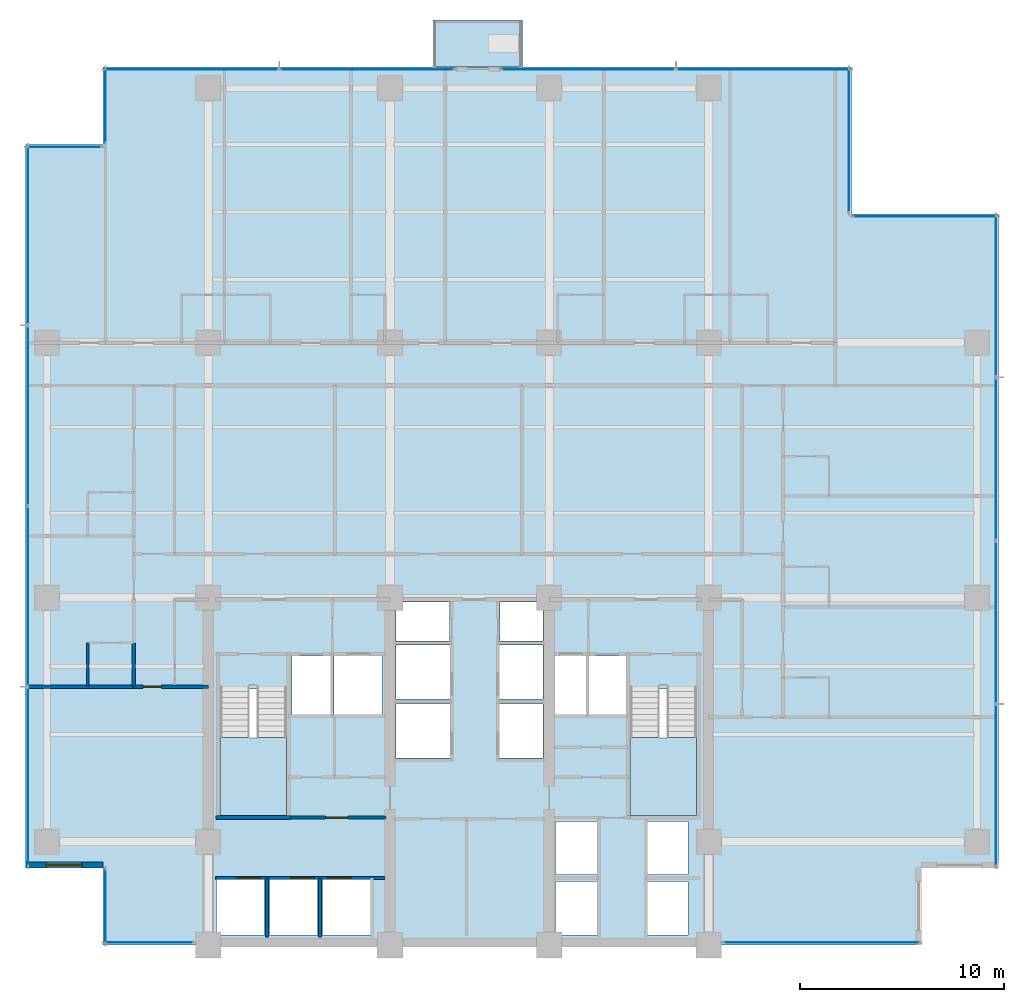
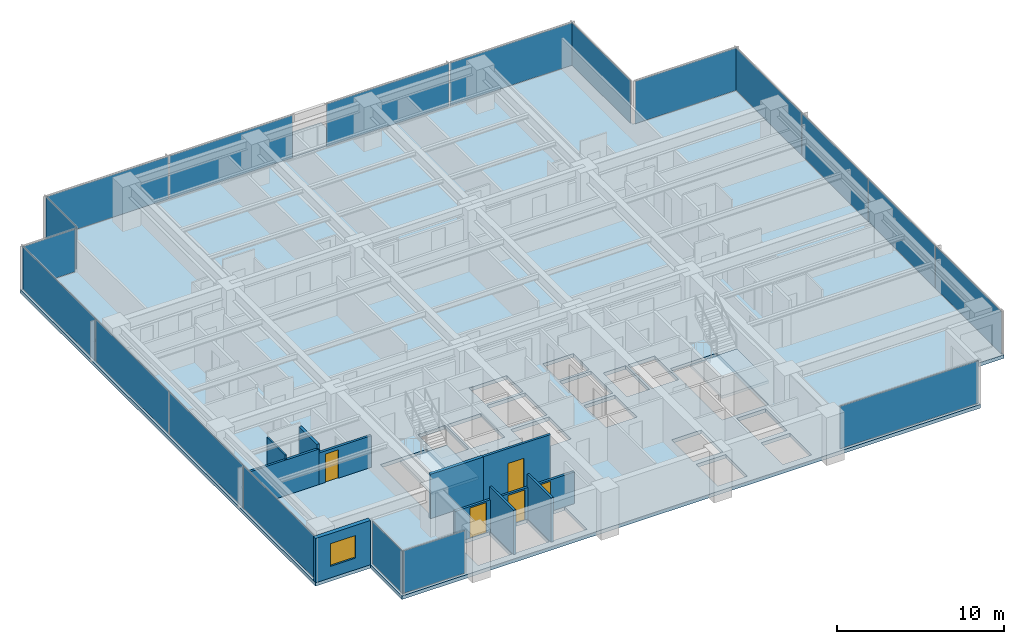
# One storey, part 7 of 17: 19 plates, 10 walls, 5 doors, 4 slabs, 1 window, 6 openings, 13 elements without a shape of their own.
"""IFC4 building model written with IfcOpenShell, lengths in metres."""

from ifc_helpers import new_model, si_unit, direction, frame, frame_2d, origin, origin_2d, place, context, subcontext, project, spatial, polyline, rectangle, outline, extrude, material, layer, layer_set, type_object, element, fill, aggregate, save


model = new_model("IFC4")

# Units and contexts
model_context = context("Model", 3, precision=1e-05, world=origin(), true_north=direction((0.0, 1.0)))
body_context = subcontext(model_context, "Body", "Model", "MODEL_VIEW")
ifc_project = project(units=[si_unit("LENGTHUNIT", "METRE"), si_unit("AREAUNIT", "SQUARE_METRE"), si_unit("VOLUMEUNIT", "CUBIC_METRE"), si_unit("PLANEANGLEUNIT", "RADIAN"), si_unit("MASSUNIT", "GRAM", prefix="KILO")], contexts=[model_context])

# Site, building, storey
site_placement = place(None, origin())
site = spatial("IfcSite", under=ifc_project, at=site_placement, CompositionType="ELEMENT")
building_placement = place(site_placement, origin())
building = spatial("IfcBuilding", under=site, at=building_placement, Name="Qalmaran Belvedere Hotel", CompositionType="ELEMENT")
storey_placement = place(building_placement, frame((0.0, 0.0, 109.199951171875)))
storey = spatial("IfcBuildingStorey", under=building, at=storey_placement, Name="L27", CompositionType="ELEMENT", Elevation=109.199951171875)

# Curtain wall, plate
ifc_material_1 = material(Name="Anodised Bronze Aluminium", Category="aluminium")
ifc_layer_1 = layer(ifc_material_1, 0.199951171875, Name="Anodised Bronze Aluminium")
ifc_layer_set_1 = layer_set([ifc_layer_1], Name="Anodised Bronze Aluminium")
curtain_wall_type = type_object("IfcCurtainWallType", Name="CW3-TOWER-LOWMID", PredefinedType="NOTDEFINED", material=ifc_layer_set_1)
curtain_wall_1_placement = place(storey_placement, origin())
curtain_wall_1 = element("IfcCurtainWall", 1, at=curtain_wall_1_placement, inside=storey, type_object=curtain_wall_type, Name="L27 Curtain Wall CW3", PredefinedType="NOTDEFINED")
ifc_material_2 = material(Name="Solar-Control Double Glazing", Category="glass")
ifc_layer_2 = layer(ifc_material_2, 0.028076171875, Name="Solar-Control Double Glazing")
ifc_layer_set_2 = layer_set([ifc_layer_2], Name="Solar-Control Double Glazing")
plate_type = type_object("IfcPlateType", Name="CWP-VISION-28", PredefinedType="CURTAIN_PANEL", material=ifc_layer_set_2)
plate_1_placement = place(storey_placement, frame((17.392578125, 3.6201171875, 0.06494140625), z_axis=(0.0, 0.0, 1.0), x_axis=(1.0, 0.0, 0.0)))
plate_1 = element("IfcPlate", 2, at=plate_1_placement, type_object=plate_type, Name="CW3 panel 1.1", PredefinedType="CURTAIN_PANEL", context=body_context, shape_type="SweptSolid", body=[
    extrude(rectangle(XDim=4.344970703125, YDim=0.028076171875, at=origin_2d()), origin(), (0.0, 0.0, 1.0), 3.110107421875),
])
aggregate(curtain_wall_1, [plate_1])

curtain_wall_2_placement = place(storey_placement, origin())
curtain_wall_2 = element("IfcCurtainWall", 3, at=curtain_wall_2_placement, inside=storey, type_object=curtain_wall_type, Name="L27 Curtain Wall CW3", PredefinedType="NOTDEFINED")
plate_2_placement = place(storey_placement, frame((50.33251953125, 3.6201171875, 0.06494140625), z_axis=(0.0, 0.0, 1.0), x_axis=(1.0, 0.0, 0.0)))
plate_2 = element("IfcPlate", 4, at=plate_2_placement, type_object=plate_type, Name="CW3 panel 1.1", PredefinedType="CURTAIN_PANEL", context=body_context, shape_type="SweptSolid", body=[
    extrude(rectangle(XDim=9.594970703125, YDim=0.028076171875, at=origin_2d()), origin(), (0.0, 0.0, 1.0), 3.110107421875),
])
aggregate(curtain_wall_2, [plate_2])

# Curtain wall, plates
curtain_wall_3_placement = place(storey_placement, origin())
curtain_wall_3 = element("IfcCurtainWall", 5, at=curtain_wall_3_placement, inside=storey, type_object=curtain_wall_type, Name="L27 Curtain Wall CW3", PredefinedType="NOTDEFINED")
plate_3_placement = place(storey_placement, frame((58.8798828125, 11.3173828125, 0.06494140625), z_axis=(0.0, 0.0, 1.0), x_axis=(0.0, 1.0, 0.0)))
plate_3 = element("IfcPlate", 6, at=plate_3_placement, type_object=plate_type, Name="CW3 panel 1.1", PredefinedType="CURTAIN_PANEL", context=body_context, shape_type="SweptSolid", body=[
    extrude(rectangle(XDim=7.89501953125, YDim=0.028076171875, at=origin_2d()), origin(), (0.0, 0.0, 1.0), 3.110107421875),
])
plate_4_placement = place(storey_placement, frame((58.8798828125, 19.300048828125, 0.06494140625), z_axis=(0.0, 0.0, 1.0), x_axis=(0.0, 1.0, 0.0)))
plate_4 = element("IfcPlate", 7, at=plate_4_placement, type_object=plate_type, Name="CW3 panel 2.1", PredefinedType="CURTAIN_PANEL", context=body_context, shape_type="SweptSolid", body=[
    extrude(rectangle(XDim=7.929931640625, YDim=0.028076171875, at=origin_2d()), origin(), (0.0, 0.0, 1.0), 3.110107421875),
])
plate_5_placement = place(storey_placement, frame((58.8798828125, 27.300048828125, 0.06494140625), z_axis=(0.0, 0.0, 1.0), x_axis=(0.0, 1.0, 0.0)))
plate_5 = element("IfcPlate", 8, at=plate_5_placement, type_object=plate_type, Name="CW3 panel 3.1", PredefinedType="CURTAIN_PANEL", context=body_context, shape_type="SweptSolid", body=[
    extrude(rectangle(XDim=7.929931640625, YDim=0.028076171875, at=origin_2d()), origin(), (0.0, 0.0, 1.0), 3.110107421875),
])
plate_6_placement = place(storey_placement, frame((58.8798828125, 35.282470703125, 0.06494140625), z_axis=(0.0, 0.0, 1.0), x_axis=(0.0, 1.0, 0.0)))
plate_6 = element("IfcPlate", 9, at=plate_6_placement, type_object=plate_type, Name="CW3 panel 4.1", PredefinedType="CURTAIN_PANEL", context=body_context, shape_type="SweptSolid", body=[
    extrude(rectangle(XDim=7.89501953125, YDim=0.028076171875, at=origin_2d()), origin(), (0.0, 0.0, 1.0), 3.110107421875),
])
aggregate(curtain_wall_3, [plate_3, plate_4, plate_5, plate_6])

# Curtain wall, plate
curtain_wall_4_placement = place(storey_placement, origin())
curtain_wall_4 = element("IfcCurtainWall", 10, at=curtain_wall_4_placement, inside=storey, type_object=curtain_wall_type, Name="L27 Curtain Wall CW3", PredefinedType="NOTDEFINED")
plate_7_placement = place(storey_placement, frame((55.39990234375, 39.179931640625, 0.06494140625), z_axis=(0.0, 0.0, 1.0), x_axis=(-1.0, 0.0, 0.0)))
plate_7 = element("IfcPlate", 11, at=plate_7_placement, type_object=plate_type, Name="CW3 panel 1.1", PredefinedType="CURTAIN_PANEL", context=body_context, shape_type="SweptSolid", body=[
    extrude(rectangle(XDim=7.06005859375, YDim=0.028076171875, at=origin_2d()), origin(), (0.0, 0.0, 1.0), 3.110107421875),
])
aggregate(curtain_wall_4, [plate_7])

curtain_wall_5_placement = place(storey_placement, origin())
curtain_wall_5 = element("IfcCurtainWall", 12, at=curtain_wall_5_placement, inside=storey, type_object=curtain_wall_type, Name="L27 Curtain Wall CW3", PredefinedType="NOTDEFINED")
plate_8_placement = place(storey_placement, frame((51.679931640625, 42.89990234375, 0.06494140625), z_axis=(0.0, 0.0, 1.0), x_axis=(0.0, 1.0, 0.0)))
plate_8 = element("IfcPlate", 13, at=plate_8_placement, type_object=plate_type, Name="CW3 panel 1.1", PredefinedType="CURTAIN_PANEL", context=body_context, shape_type="SweptSolid", body=[
    extrude(rectangle(XDim=7.06005859375, YDim=0.028076171875, at=origin_2d()), origin(), (0.0, 0.0, 1.0), 3.110107421875),
])
aggregate(curtain_wall_5, [plate_8])

# Curtain wall, plates
curtain_wall_6_placement = place(storey_placement, origin())
curtain_wall_6 = element("IfcCurtainWall", 14, at=curtain_wall_6_placement, inside=storey, type_object=curtain_wall_type, Name="L27 Curtain Wall CW3", PredefinedType="NOTDEFINED")
plate_9_placement = place(storey_placement, frame((28.070068359375, 46.3798828125, 0.06494140625), z_axis=(0.0, 0.0, 1.0), x_axis=(-1.0, 0.0, 0.0)))
plate_9 = element("IfcPlate", 15, at=plate_9_placement, type_object=plate_type, Name="CW3 panel 1.1", PredefinedType="CURTAIN_PANEL", context=body_context, shape_type="SweptSolid", body=[
    extrude(rectangle(XDim=8.52001953125, YDim=0.028076171875, at=origin_2d()), origin(), (0.0, 0.0, 1.0), 3.110107421875),
])
plate_10_placement = place(storey_placement, frame((19.47998046875, 46.3798828125, 0.06494140625), z_axis=(0.0, 0.0, 1.0), x_axis=(-1.0, 0.0, 0.0)))
plate_10 = element("IfcPlate", 16, at=plate_10_placement, type_object=plate_type, Name="CW3 panel 2.1", PredefinedType="CURTAIN_PANEL", context=body_context, shape_type="SweptSolid", body=[
    extrude(rectangle(XDim=8.52001953125, YDim=0.028076171875, at=origin_2d()), origin(), (0.0, 0.0, 1.0), 3.110107421875),
])
aggregate(curtain_wall_6, [plate_9, plate_10])

curtain_wall_7_placement = place(storey_placement, origin())
curtain_wall_7 = element("IfcCurtainWall", 17, at=curtain_wall_7_placement, inside=storey, type_object=curtain_wall_type, Name="L27 Curtain Wall CW3", PredefinedType="NOTDEFINED")
plate_11_placement = place(storey_placement, frame((47.482421875, 46.3798828125, 0.06494140625), z_axis=(0.0, 0.0, 1.0), x_axis=(-1.0, 0.0, 0.0)))
plate_11 = element("IfcPlate", 18, at=plate_11_placement, type_object=plate_type, Name="CW3 panel 1.1", PredefinedType="CURTAIN_PANEL", context=body_context, shape_type="SweptSolid", body=[
    extrude(rectangle(XDim=8.4951171875, YDim=0.028076171875, at=origin_2d()), origin(), (0.0, 0.0, 1.0), 3.110107421875),
])
plate_12_placement = place(storey_placement, frame((38.91748046875, 46.3798828125, 0.06494140625), z_axis=(0.0, 0.0, 1.0), x_axis=(-1.0, 0.0, 0.0)))
plate_12 = element("IfcPlate", 19, at=plate_12_placement, type_object=plate_type, Name="CW3 panel 2.1", PredefinedType="CURTAIN_PANEL", context=body_context, shape_type="SweptSolid", body=[
    extrude(rectangle(XDim=8.4951171875, YDim=0.028076171875, at=origin_2d()), origin(), (0.0, 0.0, 1.0), 3.110107421875),
])
aggregate(curtain_wall_7, [plate_11, plate_12])

# Curtain wall, plate
curtain_wall_8_placement = place(storey_placement, origin())
curtain_wall_8 = element("IfcCurtainWall", 20, at=curtain_wall_8_placement, inside=storey, type_object=curtain_wall_type, Name="L27 Curtain Wall CW3", PredefinedType="NOTDEFINED")
plate_13_placement = place(storey_placement, frame((15.27001953125, 44.60009765625, 0.06494140625), z_axis=(0.0, 0.0, 1.0), x_axis=(0.0, -1.0, 0.0)))
plate_13 = element("IfcPlate", 21, at=plate_13_placement, type_object=plate_type, Name="CW3 panel 1.1", PredefinedType="CURTAIN_PANEL", context=body_context, shape_type="SweptSolid", body=[
    extrude(rectangle(XDim=3.659912109375, YDim=0.028076171875, at=origin_2d()), origin(), (0.0, 0.0, 1.0), 3.110107421875),
])
aggregate(curtain_wall_8, [plate_13])

curtain_wall_9_placement = place(storey_placement, origin())
curtain_wall_9 = element("IfcCurtainWall", 22, at=curtain_wall_9_placement, inside=storey, type_object=curtain_wall_type, Name="L27 Curtain Wall CW3", PredefinedType="NOTDEFINED")
plate_14_placement = place(storey_placement, frame((13.25, 42.580078125, 0.06494140625), z_axis=(0.0, 0.0, 1.0), x_axis=(-1.0, 0.0, 0.0)))
plate_14 = element("IfcPlate", 23, at=plate_14_placement, type_object=plate_type, Name="CW3 panel 1.1", PredefinedType="CURTAIN_PANEL", context=body_context, shape_type="SweptSolid", body=[
    extrude(rectangle(XDim=3.659912109375, YDim=0.028076171875, at=origin_2d()), origin(), (0.0, 0.0, 1.0), 3.110107421875),
])
aggregate(curtain_wall_9, [plate_14])

# Curtain wall, plates
curtain_wall_10_placement = place(storey_placement, origin())
curtain_wall_10 = element("IfcCurtainWall", 24, at=curtain_wall_10_placement, inside=storey, type_object=curtain_wall_type, Name="L27 Curtain Wall CW3", PredefinedType="NOTDEFINED")
plate_15_placement = place(storey_placement, frame((11.469970703125, 38.257568359375, 0.06494140625), z_axis=(0.0, 0.0, 1.0), x_axis=(0.0, -1.0, 0.0)))
plate_15 = element("IfcPlate", 25, at=plate_15_placement, type_object=plate_type, Name="CW3 panel 1.1", PredefinedType="CURTAIN_PANEL", context=body_context, shape_type="SweptSolid", body=[
    extrude(rectangle(XDim=8.7451171875, YDim=0.028076171875, at=origin_2d()), origin(), (0.0, 0.0, 1.0), 3.110107421875),
])
plate_16_placement = place(storey_placement, frame((11.469970703125, 29.425048828125, 0.06494140625), z_axis=(0.0, 0.0, 1.0), x_axis=(0.0, -1.0, 0.0)))
plate_16 = element("IfcPlate", 26, at=plate_16_placement, type_object=plate_type, Name="CW3 panel 2.1", PredefinedType="CURTAIN_PANEL", context=body_context, shape_type="SweptSolid", body=[
    extrude(rectangle(XDim=8.780029296875, YDim=0.028076171875, at=origin_2d()), origin(), (0.0, 0.0, 1.0), 3.110107421875),
])
plate_17_placement = place(storey_placement, frame((11.469970703125, 20.574951171875, 0.06494140625), z_axis=(0.0, 0.0, 1.0), x_axis=(0.0, -1.0, 0.0)))
plate_17 = element("IfcPlate", 27, at=plate_17_placement, type_object=plate_type, Name="CW3 panel 3.1", PredefinedType="CURTAIN_PANEL", context=body_context, shape_type="SweptSolid", body=[
    extrude(rectangle(XDim=8.780029296875, YDim=0.028076171875, at=origin_2d()), origin(), (0.0, 0.0, 1.0), 3.110107421875),
])
plate_18_placement = place(storey_placement, frame((11.469970703125, 11.742431640625, 0.06494140625), z_axis=(0.0, 0.0, 1.0), x_axis=(0.0, -1.0, 0.0)))
plate_18 = element("IfcPlate", 28, at=plate_18_placement, type_object=plate_type, Name="CW3 panel 4.1", PredefinedType="CURTAIN_PANEL", context=body_context, shape_type="SweptSolid", body=[
    extrude(rectangle(XDim=8.7451171875, YDim=0.028076171875, at=origin_2d()), origin(), (0.0, 0.0, 1.0), 3.110107421875),
])
aggregate(curtain_wall_10, [plate_15, plate_16, plate_17, plate_18])

# Curtain wall, plate
curtain_wall_11_placement = place(storey_placement, origin())
curtain_wall_11 = element("IfcCurtainWall", 29, at=curtain_wall_11_placement, inside=storey, type_object=curtain_wall_type, Name="L27 Curtain Wall CW3", PredefinedType="NOTDEFINED")
plate_19_placement = place(storey_placement, frame((15.27001953125, 5.39990234375, 0.06494140625), z_axis=(0.0, 0.0, 1.0), x_axis=(0.0, -1.0, 0.0)))
plate_19 = element("IfcPlate", 30, at=plate_19_placement, type_object=plate_type, Name="CW3 panel 1.1", PredefinedType="CURTAIN_PANEL", context=body_context, shape_type="SweptSolid", body=[
    extrude(rectangle(XDim=3.659912109375, YDim=0.028076171875, at=origin_2d()), origin(), (0.0, 0.0, 1.0), 3.110107421875),
])
aggregate(curtain_wall_11, [plate_19])

# Slab
ifc_material_3 = material(Name="Concrete C40/50", Category="concrete")
ifc_layer_3 = layer(ifc_material_3, 0.219970703125, Name="Concrete C40/50")
ifc_layer_set_3 = layer_set([ifc_layer_3], Name="Concrete C40/50")
slab_type_1 = type_object("IfcSlabType", Name="SLB-BAL-220", PredefinedType="USERDEFINED", material=ifc_layer_set_3)
slab_1_placement = place(storey_placement, frame((0.0, 0.0, -0.219970703125)))
element("IfcSlab", 31, at=slab_1_placement, inside=storey, type_object=slab_type_1, Name="L27 Planted Tree Balcony Slab 1", ObjectType="BALCONY", PredefinedType="USERDEFINED", context=body_context, shape_type="SweptSolid", body=[
    extrude(outline(polyline([(31.300048828125, 46.5), (35.699951171875, 46.5), (35.699951171875, 48.800048828125), (31.300048828125, 48.800048828125), (31.300048828125, 46.5)])), origin(), (0.0, 0.0, 1.0), 0.219970703125),
])

# Stair, slab
stair_type_1 = type_object("IfcStairType", Name="STR-ST-1-1450-R1750", PredefinedType="HALF_TURN_STAIR", material=ifc_material_3)
stair_1_placement = place(storey_placement, origin())
stair_1 = element("IfcStair", 32, at=stair_1_placement, inside=storey, type_object=stair_type_1, Name="L27 West Core Exit Stair ST-1", PredefinedType="HALF_TURN_STAIR")
ifc_layer_4 = layer(ifc_material_3, 0.199951171875, Name="Concrete C40/50")
ifc_layer_set_4 = layer_set([ifc_layer_4], Name="Concrete C40/50")
slab_type_2 = type_object("IfcSlabType", Name="SLB-STAIR-LANDING-200", PredefinedType="LANDING", material=ifc_layer_set_4)
slab_2_placement = place(storey_placement, frame((0.0, 0.0, 1.550048828125)))
slab_2 = element("IfcSlab", 33, at=slab_2_placement, type_object=slab_type_2, Name="ST-1 landing 1", PredefinedType="LANDING", context=body_context, shape_type="SweptSolid", body=[
    extrude(outline(polyline([(20.8798828125, 13.669921875), (20.8798828125, 9.85009765625), (24.1201171875, 9.85009765625), (24.1201171875, 13.669921875), (20.8798828125, 13.669921875)])), origin(), (0.0, 0.0, 1.0), 0.199951171875),
])
aggregate(stair_1, [slab_2])

stair_type_2 = type_object("IfcStairType", Name="STR-ST-2-1450-R1750", PredefinedType="HALF_TURN_STAIR", material=ifc_material_3)
stair_2_placement = place(storey_placement, origin())
stair_2 = element("IfcStair", 34, at=stair_2_placement, inside=storey, type_object=stair_type_2, Name="L27 East Core Exit Stair ST-2", PredefinedType="HALF_TURN_STAIR")
slab_3_placement = place(storey_placement, frame((0.0, 0.0, 1.550048828125)))
slab_3 = element("IfcSlab", 35, at=slab_3_placement, type_object=slab_type_2, Name="ST-2 landing 1", PredefinedType="LANDING", context=body_context, shape_type="SweptSolid", body=[
    extrude(outline(polyline([(40.9599609375, 13.669921875), (40.9599609375, 9.85009765625), (44.199951171875, 9.85009765625), (44.199951171875, 13.669921875), (40.9599609375, 13.669921875)])), origin(), (0.0, 0.0, 1.0), 0.199951171875),
])
aggregate(stair_2, [slab_3])

# Slab
ifc_layer_5 = layer(ifc_material_3, 0.260009765625, Name="Concrete C40/50")
ifc_layer_set_5 = layer_set([ifc_layer_5], Name="Concrete C40/50")
slab_type_3 = type_object("IfcSlabType", Name="SLB-Z2-260", PredefinedType="FLOOR", material=ifc_layer_set_5)
slab_4_placement = place(storey_placement, frame((0.0, 0.0, -0.260009765625)))
element("IfcSlab", 36, at=slab_4_placement, inside=storey, type_object=slab_type_3, Name="L27 Structural Floor Slab", PredefinedType="FLOOR", context=body_context, shape_type="SweptSolid", body=[
    extrude(outline(polyline([(15.14990234375, 3.5), (55.199951171875, 3.5), (55.199951171875, 7.300048828125), (59.0, 7.300048828125), (59.0, 39.300048828125), (51.800048828125, 39.300048828125), (51.800048828125, 46.5), (15.14990234375, 46.5), (15.14990234375, 42.699951171875), (11.35009765625, 42.699951171875), (11.35009765625, 7.300048828125), (15.14990234375, 7.300048828125), (15.14990234375, 3.5)]), holes=[polyline([(20.8798828125, 9.85009765625), (24.1201171875, 9.85009765625), (24.1201171875, 16.0400390625), (20.8798828125, 16.0400390625), (20.8798828125, 9.85009765625)]), polyline([(40.9599609375, 9.85009765625), (44.199951171875, 9.85009765625), (44.199951171875, 16.0400390625), (40.9599609375, 16.0400390625), (40.9599609375, 9.85009765625)]), polyline([(29.4951171875, 12.64990234375), (32.14990234375, 12.64990234375), (32.14990234375, 15.300048828125), (29.4951171875, 15.300048828125), (29.4951171875, 12.64990234375)]), polyline([(29.4951171875, 15.550048828125), (32.14990234375, 15.550048828125), (32.14990234375, 18.199951171875), (29.4951171875, 18.199951171875), (29.4951171875, 15.550048828125)]), polyline([(34.550048828125, 12.64990234375), (36.705078125, 12.64990234375), (36.705078125, 15.300048828125), (34.550048828125, 15.300048828125), (34.550048828125, 12.64990234375)]), polyline([(34.550048828125, 15.550048828125), (36.705078125, 15.550048828125), (36.705078125, 18.199951171875), (34.550048828125, 18.199951171875), (34.550048828125, 15.550048828125)]), polyline([(37.300048828125, 4.0), (39.35009765625, 4.0), (39.35009765625, 6.60009765625), (37.300048828125, 6.60009765625), (37.300048828125, 4.0)]), polyline([(37.300048828125, 6.949951171875), (39.35009765625, 6.949951171875), (39.35009765625, 9.550048828125), (37.300048828125, 9.550048828125), (37.300048828125, 6.949951171875)]), polyline([(41.800048828125, 4.0), (43.800048828125, 4.0), (43.800048828125, 6.60009765625), (41.800048828125, 6.60009765625), (41.800048828125, 4.0)]), polyline([(41.800048828125, 6.949951171875), (43.800048828125, 6.949951171875), (43.800048828125, 9.550048828125), (41.800048828125, 9.550048828125), (41.800048828125, 6.949951171875)]), polyline([(20.699951171875, 4.0), (23.050048828125, 4.0), (23.050048828125, 6.699951171875), (20.699951171875, 6.699951171875), (20.699951171875, 4.0)]), polyline([(23.300048828125, 4.0), (25.64990234375, 4.0), (25.64990234375, 6.699951171875), (23.300048828125, 6.699951171875), (23.300048828125, 4.0)]), polyline([(25.89990234375, 4.0), (28.25, 4.0), (28.25, 6.699951171875), (25.89990234375, 6.699951171875), (25.89990234375, 4.0)]), polyline([(24.39990234375, 14.800048828125), (26.300048828125, 14.800048828125), (26.300048828125, 17.64990234375), (24.39990234375, 17.64990234375), (24.39990234375, 14.800048828125)]), polyline([(38.949951171875, 14.800048828125), (40.820068359375, 14.800048828125), (40.820068359375, 17.64990234375), (38.949951171875, 17.64990234375), (38.949951171875, 14.800048828125)]), polyline([(26.449951171875, 14.800048828125), (28.800048828125, 14.800048828125), (28.800048828125, 17.64990234375), (26.449951171875, 17.64990234375), (26.449951171875, 14.800048828125)]), polyline([(37.25, 14.800048828125), (38.800048828125, 14.800048828125), (38.800048828125, 17.64990234375), (37.25, 17.64990234375), (37.25, 14.800048828125)]), polyline([(29.4951171875, 18.3798828125), (32.1201171875, 18.3798828125), (32.1201171875, 20.300048828125), (29.4951171875, 20.300048828125), (29.4951171875, 18.3798828125)]), polyline([(34.580078125, 18.3798828125), (36.705078125, 18.3798828125), (36.705078125, 20.300048828125), (34.580078125, 20.300048828125), (34.580078125, 18.3798828125)])]), origin(), (0.0, 0.0, 1.0), 0.260009765625),
])

# Wall, opening, window
ifc_material_4 = material(Name="Anodised Bronze Cladding")
ifc_layer_6 = layer(ifc_material_4, 0.280029296875, Name="Anodised Bronze Cladding")
ifc_layer_set_6 = layer_set([ifc_layer_6], Name="Anodised Bronze Cladding")
wall_type_1 = type_object("IfcWallType", Name="WL-EXT-BRNZ-280", PredefinedType="SOLIDWALL", material=ifc_layer_set_6)
wall_1_placement = place(storey_placement, frame((11.35009765625, 7.419921875, 0.0), z_axis=(0.0, 0.0, 1.0), x_axis=(1.0, 0.0, 0.0)))
wall_1 = element("IfcWall", 37, at=wall_1_placement, inside=storey, type_object=wall_type_1, Name="L27 Corner Notch Wall 10", PredefinedType="SOLIDWALL", context=body_context, shape_type="SweptSolid", body=[
    extrude(rectangle(XDim=3.7998046875, YDim=0.280029296875, at=frame_2d((1.89990234375, 0.0))), origin(), (0.0, 0.0, 1.0), 3.239990234375),
])
opening_1_placement = place(wall_1_placement, frame((1.02490234375, 0.0, 0.85009765625)))
opening_1 = element("IfcOpeningElement", 38, at=opening_1_placement, cuts=wall_1, Name="Opening W-N17", PredefinedType="OPENING", context=body_context, shape_type="SweptSolid", body=[
    extrude(rectangle(XDim=1.75, YDim=1.64990234375, at=frame_2d((0.875, 0.824951171875))), frame((0.0, 0.14990234375, 0.0), z_axis=(0.0, -1.0, 0.0), x_axis=(1.0, 0.0, 0.0)), (0.0, 0.0, 1.0), 0.300048828125),
])
window_type = type_object("IfcWindowType", Name="WN-NTC-1750X1650", PartitioningType="SINGLE_PANEL", PredefinedType="WINDOW", material=ifc_material_2)
window_placement = place(opening_1_placement, origin())
window = element("IfcWindow", 39, at=window_placement, inside=storey, type_object=window_type, Name="L27 Corner Notch Window 10", OverallHeight=1.64990234375, OverallWidth=1.75, PartitioningType="SINGLE_PANEL", PredefinedType="WINDOW", context=body_context, shape_type="SweptSolid", body=[
    extrude(rectangle(XDim=1.75, YDim=1.64990234375, at=frame_2d((0.875, 0.824951171875))), frame((0.0, 0.030029296875, 0.0), z_axis=(0.0, -1.0, 0.0), x_axis=(1.0, 0.0, 0.0)), (0.0, 0.0, 1.0), 0.06005859375),
])
fill(opening_1, window)

# Walls
ifc_material_5 = material(Name="Moisture-Resistant Gypsum")
ifc_layer_7 = layer(ifc_material_5, 0.1201171875, Name="Moisture-Resistant Gypsum")
ifc_layer_set_7 = layer_set([ifc_layer_7], Name="Moisture-Resistant Gypsum")
wall_type_2 = type_object("IfcWallType", Name="WL-INT-120-BATH", PredefinedType="PARTITIONING", material=ifc_layer_set_7)
wall_2_placement = place(storey_placement, frame((14.39990234375, 16.14990234375, 0.0), z_axis=(0.0, 0.0, 1.0), x_axis=(0.0, 1.0, 0.0)))
element("IfcWall", 40, at=wall_2_placement, inside=storey, type_object=wall_type_2, Name="L27 Partition WL-L27-WBS00", PredefinedType="PARTITIONING", context=body_context, shape_type="SweptSolid", body=[
    extrude(rectangle(XDim=2.150146484375, YDim=0.1201171875, at=frame_2d((1.0751953125, 0.0))), origin(), (0.0, 0.0, 1.0), 2.922119140625),
])
ifc_material_6 = material(Name="Gypsum Stud Partition")
ifc_layer_8 = layer(ifc_material_6, 0.14990234375, Name="Gypsum Stud Partition")
ifc_layer_set_8 = layer_set([ifc_layer_8], Name="Gypsum Stud Partition")
wall_type_3 = type_object("IfcWallType", Name="WL-INT-150-EI120", PredefinedType="PARTITIONING", material=ifc_layer_set_8)
for number, where, z_axis, x_axis, name in (
    (41, (23.179931640625, 3.89990234375, 0.0), (0.0, 0.0, 1.0), (0.0, 1.0, 0.0), "L27 Partition WL-POM1-L27"),
    (42, (25.780029296875, 3.89990234375, 0.0), (0.0, 0.0, 1.0), (0.0, 1.0, 0.0), "L27 Partition WL-POM2-L27"),
):
    element("IfcWall", number, at=place(storey_placement, frame(where, z_axis=z_axis, x_axis=x_axis)), inside=storey, type_object=wall_type_3, Name=name, PredefinedType="PARTITIONING", context=body_context, shape_type="SweptSolid", body=[
        extrude(rectangle(XDim=2.880126953125, YDim=0.14990234375, at=frame_2d((1.43994140625, 0.0))), origin(), (0.0, 0.0, 1.0), 3.239990234375),
    ])

# Wall, openings, doors
ifc_layer_9 = layer(ifc_material_6, 0.159912109375, Name="Gypsum Stud Partition")
ifc_layer_set_9 = layer_set([ifc_layer_9], Name="Gypsum Stud Partition")
wall_type_4 = type_object("IfcWallType", Name="WL-INT-160-EI120", PredefinedType="PARTITIONING", material=ifc_layer_set_9)
wall_3_placement = place(storey_placement, frame((20.64990234375, 6.780029296875, 0.0), z_axis=(0.0, 0.0, 1.0), x_axis=(1.0, 0.0, 0.0)))
wall_3 = element("IfcWall", 43, at=wall_3_placement, inside=storey, type_object=wall_type_4, Name="L27 Partition WL-POS-L27", PredefinedType="PARTITIONING", context=body_context, shape_type="SweptSolid", body=[
    extrude(rectangle(XDim=8.300048828125, YDim=0.159912109375, at=frame_2d((4.14990234375, 0.0))), origin(), (0.0, 0.0, 1.0), 2.31298828125),
])
opening_2_placement = place(wall_3_placement, frame((3.69482421875, 0.0, 0.0)))
opening_2 = element("IfcOpeningElement", 44, at=opening_2_placement, cuts=wall_3, Name="Opening LD-PO", PredefinedType="OPENING", context=body_context, shape_type="SweptSolid", body=[
    extrude(rectangle(XDim=1.14990234375, YDim=2.199951171875, at=frame_2d((0.574951171875, 1.10009765625))), frame((0.0, 0.08984375, 0.0), z_axis=(0.0, -1.0, 0.0), x_axis=(1.0, 0.0, 0.0)), (0.0, 0.0, 1.0), 0.179931640625),
])
opening_3_placement = place(wall_3_placement, frame((5.4921875, 0.0, 0.0)))
opening_3 = element("IfcOpeningElement", 45, at=opening_3_placement, cuts=wall_3, Name="Opening LD-PO", PredefinedType="OPENING", context=body_context, shape_type="SweptSolid", body=[
    extrude(rectangle(XDim=1.14990234375, YDim=2.199951171875, at=frame_2d((0.574951171875, 1.10009765625))), frame((0.0, 0.08984375, 0.0), z_axis=(0.0, -1.0, 0.0), x_axis=(1.0, 0.0, 0.0)), (0.0, 0.0, 1.0), 0.179931640625),
])
opening_4_placement = place(wall_3_placement, frame((1.058837890625, 0.0, 0.0)))
opening_4 = element("IfcOpeningElement", 46, at=opening_4_placement, cuts=wall_3, Name="Opening LD-PO", PredefinedType="OPENING", context=body_context, shape_type="SweptSolid", body=[
    extrude(rectangle(XDim=1.14990234375, YDim=2.199951171875, at=frame_2d((0.574951171875, 1.10009765625))), frame((0.0, 0.08984375, 0.0), z_axis=(0.0, -1.0, 0.0), x_axis=(1.0, 0.0, 0.0)), (0.0, 0.0, 1.0), 0.179931640625),
])
door_type_1 = type_object("IfcDoorType", Name="DR-LIFT-PO-1150X2200", OperationType="DOUBLE_DOOR_SLIDING", PredefinedType="DOOR", material=ifc_material_1)
door_1_placement = place(opening_2_placement, origin())
door_1 = element("IfcDoor", 47, at=door_1_placement, inside=storey, type_object=door_type_1, Name="L27 PO1 Shuttle Landing Door", OperationType="DOUBLE_DOOR_SLIDING", OverallHeight=2.199951171875, OverallWidth=1.14990234375, PredefinedType="DOOR", context=body_context, shape_type="SweptSolid", body=[
    extrude(rectangle(XDim=1.14990234375, YDim=2.199951171875, at=frame_2d((0.574951171875, 1.10009765625))), frame((0.0, 0.02490234375, 0.0), z_axis=(0.0, -1.0, 0.0), x_axis=(1.0, 0.0, 0.0)), (0.0, 0.0, 1.0), 0.050048828125),
])
fill(opening_2, door_1)
door_2_placement = place(opening_3_placement, origin())
door_2 = element("IfcDoor", 48, at=door_2_placement, inside=storey, type_object=door_type_1, Name="L27 PO2 Shuttle Landing Door", OperationType="DOUBLE_DOOR_SLIDING", OverallHeight=2.199951171875, OverallWidth=1.14990234375, PredefinedType="DOOR", context=body_context, shape_type="SweptSolid", body=[
    extrude(rectangle(XDim=1.14990234375, YDim=2.199951171875, at=frame_2d((0.574951171875, 1.10009765625))), frame((0.0, 0.02490234375, 0.0), z_axis=(0.0, -1.0, 0.0), x_axis=(1.0, 0.0, 0.0)), (0.0, 0.0, 1.0), 0.050048828125),
])
fill(opening_3, door_2)
door_3_placement = place(opening_4_placement, origin())
door_3 = element("IfcDoor", 49, at=door_3_placement, inside=storey, type_object=door_type_1, Name="L27 PO3 Shuttle Landing Door", OperationType="DOUBLE_DOOR_SLIDING", OverallHeight=2.199951171875, OverallWidth=1.14990234375, PredefinedType="DOOR", context=body_context, shape_type="SweptSolid", body=[
    extrude(rectangle(XDim=1.14990234375, YDim=2.199951171875, at=frame_2d((0.574951171875, 1.10009765625))), frame((0.0, 0.02490234375, 0.0), z_axis=(0.0, -1.0, 0.0), x_axis=(1.0, 0.0, 0.0)), (0.0, 0.0, 1.0), 0.050048828125),
])
fill(opening_4, door_3)

# Wall, opening, door
wall_4_placement = place(storey_placement, frame((24.199951171875, 9.739990234375, 0.0), z_axis=(0.0, 0.0, 1.0), x_axis=(1.0, 0.0, 0.0)))
wall_4 = element("IfcWall", 50, at=wall_4_placement, inside=storey, type_object=wall_type_4, Name="L27 Partition WL-PON-L27", PredefinedType="PARTITIONING", context=body_context, shape_type="SweptSolid", body=[
    extrude(rectangle(XDim=4.800048828125, YDim=0.159912109375, at=frame_2d((2.39990234375, 0.0))), origin(), (0.0, 0.0, 1.0), 3.239990234375),
])
opening_5_placement = place(wall_4_placement, frame((1.85009765625, 0.0, 0.0)))
opening_5 = element("IfcOpeningElement", 51, at=opening_5_placement, cuts=wall_4, Name="Opening FD90", PredefinedType="OPENING", context=body_context, shape_type="SweptSolid", body=[
    extrude(rectangle(XDim=1.10009765625, YDim=2.14990234375, at=frame_2d((0.550048828125, 1.074951171875))), frame((0.0, 0.08984375, 0.0), z_axis=(0.0, -1.0, 0.0), x_axis=(1.0, 0.0, 0.0)), (0.0, 0.0, 1.0), 0.179931640625),
])
ifc_material_7 = material(Name="Steel S355JR", Category="steel")
door_type_2 = type_object("IfcDoorType", Name="DR-FD90-1100X2150", OperationType="NOTDEFINED", PredefinedType="DOOR", material=ifc_material_7)
door_4_placement = place(opening_5_placement, origin())
door_4 = element("IfcDoor", 52, at=door_4_placement, inside=storey, type_object=door_type_2, Name="L27 Shuttle Lobby Passage Door", OperationType="SINGLE_SWING_RIGHT", OverallHeight=2.14990234375, OverallWidth=1.10009765625, PredefinedType="DOOR", context=body_context, shape_type="SweptSolid", body=[
    extrude(rectangle(XDim=1.10009765625, YDim=2.14990234375, at=frame_2d((0.550048828125, 1.074951171875))), frame((0.0, 0.02490234375, 0.0), z_axis=(0.0, -1.0, 0.0), x_axis=(1.0, 0.0, 0.0)), (0.0, 0.0, 1.0), 0.050048828125),
])
fill(opening_5, door_4)

ifc_layer_10 = layer(ifc_material_6, 0.159912109375, Name="Gypsum Stud Partition")
ifc_layer_set_10 = layer_set([ifc_layer_10], Name="Gypsum Stud Partition")
wall_type_5 = type_object("IfcWallType", Name="WL-INT-160-EI60", PredefinedType="PARTITIONING", material=ifc_layer_set_10)
wall_5_placement = place(storey_placement, frame((16.64990234375, 16.14990234375, 0.0), z_axis=(0.0, 0.0, 1.0), x_axis=(1.0, 0.0, 0.0)))
wall_5 = element("IfcWall", 53, at=wall_5_placement, inside=storey, type_object=wall_type_5, Name="L27 Partition WL-L27-SWRL", PredefinedType="PARTITIONING", context=body_context, shape_type="SweptSolid", body=[
    extrude(rectangle(XDim=3.650146484375, YDim=0.159912109375, at=frame_2d((1.8251953125, 0.0))), origin(), (0.0, 0.0, 1.0), 2.31298828125),
])
opening_6_placement = place(wall_5_placement, frame((1.369873046875, 0.0, 0.0), z_axis=(0.0, 0.0, 1.0), x_axis=(-1.0, 0.0, 0.0)))
opening_6 = element("IfcOpeningElement", 54, at=opening_6_placement, cuts=wall_5, Name="Opening FD60S1", PredefinedType="OPENING", context=body_context, shape_type="SweptSolid", body=[
    extrude(rectangle(XDim=0.919921875, YDim=2.080078125, at=frame_2d((0.4599609375, 1.0400390625))), frame((0.0, 0.08984375, 0.0), z_axis=(0.0, -1.0, 0.0), x_axis=(1.0, 0.0, 0.0)), (0.0, 0.0, 1.0), 0.179931640625),
])
ifc_material_8 = material(Name="Engineered Oak Veneer")
door_type_3 = type_object("IfcDoorType", Name="DR-FD60S-920X2080", OperationType="NOTDEFINED", PredefinedType="DOOR", material=ifc_material_8)
door_5_placement = place(opening_6_placement, origin())
door_5 = element("IfcDoor", 55, at=door_5_placement, inside=storey, type_object=door_type_3, Name="L27 SW Lounge Door", OperationType="SINGLE_SWING_RIGHT", OverallHeight=2.080078125, OverallWidth=0.919921875, PredefinedType="DOOR", context=body_context, shape_type="SweptSolid", body=[
    extrude(rectangle(XDim=0.919921875, YDim=2.080078125, at=frame_2d((0.4599609375, 1.0400390625))), frame((0.0, 0.02490234375, 0.0), z_axis=(0.0, -1.0, 0.0), x_axis=(1.0, 0.0, 0.0)), (0.0, 0.0, 1.0), 0.050048828125),
])
fill(opening_6, door_5)

# Walls
wall_6_placement = place(storey_placement, frame((11.469970703125, 16.14990234375, 0.0), z_axis=(0.0, 0.0, 1.0), x_axis=(1.0, 0.0, 0.0)))
element("IfcWall", 56, at=wall_6_placement, inside=storey, type_object=wall_type_5, Name="L27 Partition WL-L27-WBOT", PredefinedType="PARTITIONING", context=body_context, shape_type="SweptSolid", body=[
    extrude(rectangle(XDim=5.179931640625, YDim=0.159912109375, at=frame_2d((2.58984375, 0.0))), origin(), (0.0, 0.0, 1.0), 2.60302734375),
])
ifc_layer_11 = layer(ifc_material_6, 0.179931640625, Name="Gypsum Stud Partition")
ifc_layer_set_11 = layer_set([ifc_layer_11], Name="Gypsum Stud Partition")
wall_type_6 = type_object("IfcWallType", Name="WL-INT-180-EI60", PredefinedType="PARTITIONING", material=ifc_layer_set_11)
wall_7_placement = place(storey_placement, frame((16.64990234375, 16.14990234375, 0.0), z_axis=(0.0, 0.0, 1.0), x_axis=(0.0, 1.0, 0.0)))
element("IfcWall", 57, at=wall_7_placement, inside=storey, type_object=wall_type_6, Name="L27 Partition WL-L27-WBC00", PredefinedType="PARTITIONING", context=body_context, shape_type="SweptSolid", body=[
    extrude(rectangle(XDim=2.150146484375, YDim=0.179931640625, at=frame_2d((1.0751953125, 0.0))), origin(), (0.0, 0.0, 1.0), 2.922119140625),
])
ifc_material_9 = material(Name="Concrete C50/60", Category="concrete")
ifc_layer_12 = layer(ifc_material_9, 0.2099609375, Name="Concrete C50/60")
ifc_layer_set_12 = layer_set([ifc_layer_12], Name="Concrete C50/60")
wall_type_7 = type_object("IfcWallType", Name="WL-STAIR-210-C50", PredefinedType="SHEAR", material=ifc_layer_set_12)
wall_8_placement = place(storey_placement, frame((20.669921875, 9.7451171875, 0.0), z_axis=(0.0, 0.0, 1.0), x_axis=(1.0, 0.0, 0.0)))
element("IfcWall", 58, at=wall_8_placement, inside=storey, type_object=wall_type_7, Name="L27 Stair ST-1 South Bearing Wall", PredefinedType="SHEAR", context=body_context, shape_type="SweptSolid", body=[
    extrude(rectangle(XDim=3.66015625, YDim=0.2099609375, at=frame_2d((1.830078125, 0.0))), origin(), (0.0, 0.0, 1.0), 3.239990234375),
])

save(model, "model.ifc")
